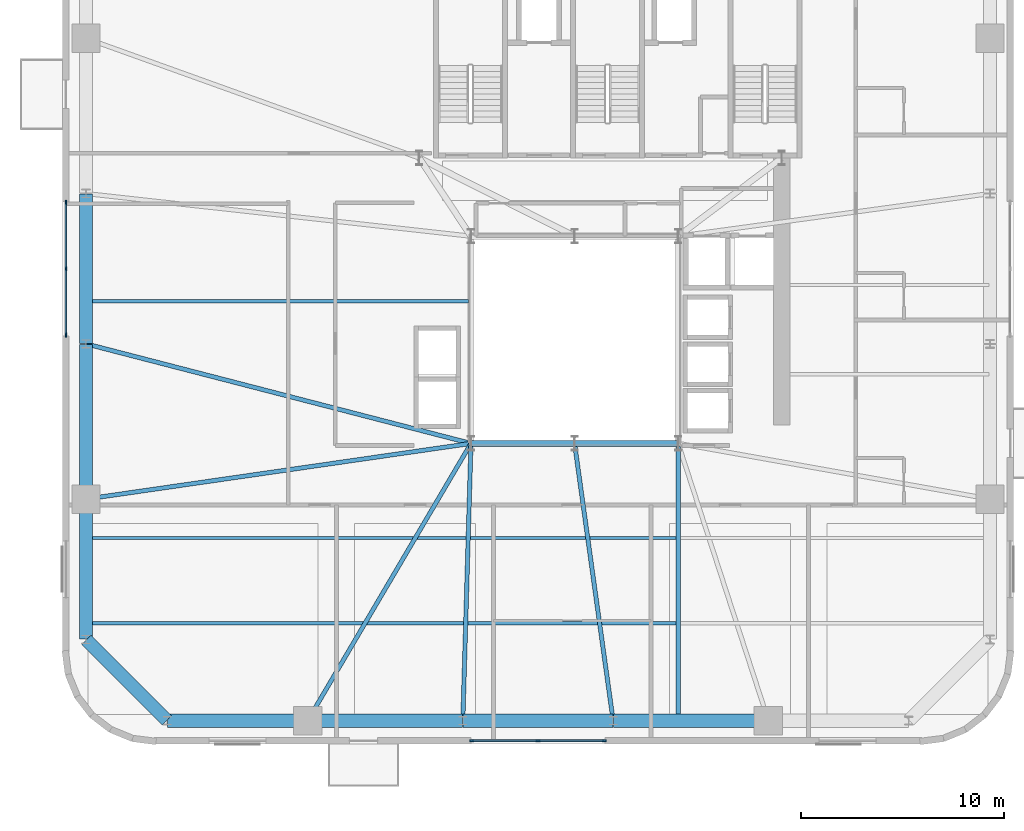
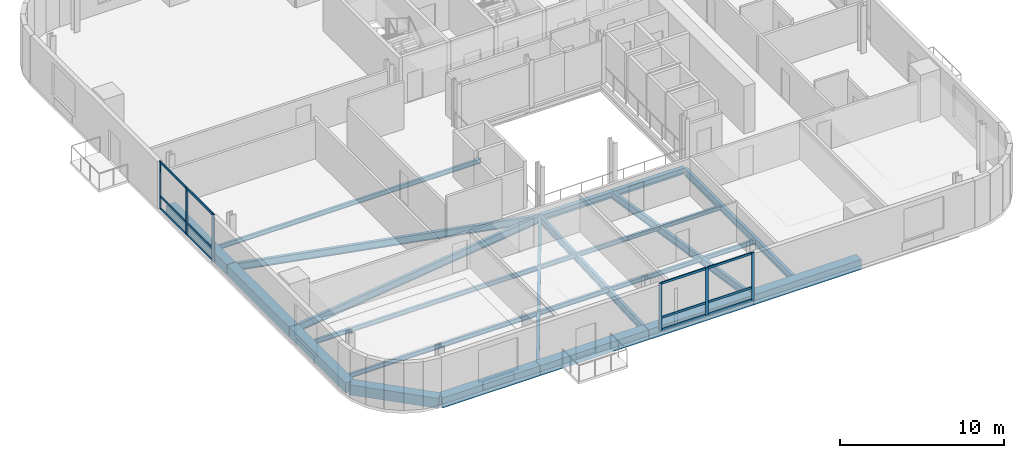
# One storey, part 3 of 16: 19 beams, 18 members, 2 elements without a shape of their own.
"""IFC4 building model written with IfcOpenShell, lengths in metres."""

import ifcopenshell
import ifcopenshell.guid

model = None  # the IFC model being written
_history = None  # IfcOwnerHistory: only IFC2X3 demands one
_inside = {}  # id of a spatial element -> (the spatial element, [elements in it])
_under = {}  # id of a project, library or spatial element -> (it, [spatial elements below it])
_declared = {}  # id of a project -> (the project, [libraries it declares])
_typed = {}  # id of a type object -> (the type object, [elements of that type])
_made_of = {}  # id of a material, layer set ... -> (it, [elements and type objects made of it])


def new_model(schema):
    """Start an empty IFC model of exactly this schema.

    Asked for "IFC4X3", IfcOpenShell would pick the latest addendum, in which some entities
    have other attributes; the version numbers below select the first issue.
    IFC2X3 requires an IfcOwnerHistory on every rooted entity: one is made here for all.
    """
    global model, _history
    if schema == "IFC4X3":
        model = ifcopenshell.file(schema_version=(4, 3, 0, 0))
    else:
        model = ifcopenshell.file(schema=schema)
    _inside.clear()
    _under.clear()
    _declared.clear()
    _typed.clear()
    _made_of.clear()
    _history = None
    if model.schema == "IFC2X3":
        org = make("IfcOrganization", Name="unknown")
        user = make(
            "IfcPersonAndOrganization",
            ThePerson=make("IfcPerson", FamilyName="unknown"),
            TheOrganization=org,
        )
        app = make(
            "IfcApplication",
            ApplicationDeveloper=org,
            Version="unknown",
            ApplicationFullName="unknown",
            ApplicationIdentifier="unknown",
        )
        _history = make(
            "IfcOwnerHistory",
            OwningUser=user,
            OwningApplication=app,
            ChangeAction="ADDED",
            CreationDate=0,
        )
    return model


def make(cls, **values):
    """One entity of the class cls with the attributes given. An attribute that is None is left unset."""
    return model.create_entity(
        cls, **{name: value for name, value in values.items() if value is not None}
    )


def rooted(cls, **values):
    """An entity with a GlobalId (a new one), such as an element, a storey or a relation."""
    return make(cls, GlobalId=ifcopenshell.guid.new(), OwnerHistory=_history, **values)


def si_unit(unit_type, name, prefix=None):
    """IfcSIUnit, for example si_unit("LENGTHUNIT", "METRE", prefix="MILLI")."""
    return make("IfcSIUnit", UnitType=unit_type, Prefix=prefix, Name=name)


def assignment(units):
    """IfcUnitAssignment: the units of a project."""
    return None if units is None else make("IfcUnitAssignment", Units=units)


def point(xyz):
    """IfcCartesianPoint."""
    return None if xyz is None else make("IfcCartesianPoint", Coordinates=xyz)


def direction(xyz):
    """IfcDirection."""
    return None if xyz is None else make("IfcDirection", DirectionRatios=xyz)


def frame(location, z_axis=None, x_axis=None):
    """IfcAxis2Placement3D, a coordinate frame: its origin and axes. An axis left out is left unset."""
    return make(
        "IfcAxis2Placement3D",
        Location=point(location),
        Axis=direction(z_axis),
        RefDirection=direction(x_axis),
    )


def frame_2d(location, x_axis=None):
    """IfcAxis2Placement2D, a coordinate frame in the plane: its origin and x axis."""
    return make(
        "IfcAxis2Placement2D", Location=point(location), RefDirection=direction(x_axis)
    )


def origin():
    """The frame at (0, 0, 0) with its axes left unset."""
    return frame((0.0, 0.0, 0.0))


def origin_2d():
    """The frame at (0, 0) in the plane with its x axis left unset."""
    return frame_2d((0.0, 0.0))


def place(relative_to, where):
    """IfcLocalPlacement: puts the frame where relative to a parent placement (None: the world)."""
    return make(
        "IfcLocalPlacement", PlacementRelTo=relative_to, RelativePlacement=where
    )


def context(
    kind, dimensions, precision=None, world=None, true_north=None, identifier=None
):
    """IfcGeometricRepresentationContext, for example the 3D "Model" context."""
    return make(
        "IfcGeometricRepresentationContext",
        ContextIdentifier=identifier,
        ContextType=kind,
        CoordinateSpaceDimension=dimensions,
        Precision=precision,
        WorldCoordinateSystem=world,
        TrueNorth=true_north,
    )


def subcontext(parent, identifier, kind, view, scale=None):
    """IfcGeometricRepresentationSubContext, for example "Body" below "Model"."""
    return make(
        "IfcGeometricRepresentationSubContext",
        ContextIdentifier=identifier,
        ContextType=kind,
        ParentContext=parent,
        TargetScale=scale,
        TargetView=view,
    )


def project(units=None, contexts=None):
    """IfcProject with its units and contexts."""
    return rooted(
        "IfcProject",
        Name="project",
        RepresentationContexts=contexts,
        UnitsInContext=assignment(units),
    )


def spatial(cls, under=None, at=None, **own):
    """A site, building, storey or space (cls), placed at a placement, below another one or the project."""
    s = rooted(cls, ObjectPlacement=at, **own)
    if under is not None:
        _under.setdefault(under.id(), (under, []))[1].append(s)
    return s


def profile(cls, at=None, kind="AREA", **sizes):
    """A parametric profile (cls). Its sizes go by their IFC names, for example OverallWidth=200.0."""
    return make(cls, ProfileType=kind, Position=at, **sizes)


def rectangle(**sizes):
    """IfcRectangleProfileDef."""
    return profile("IfcRectangleProfileDef", **sizes)


def i_section(**sizes):
    """IfcIShapeProfileDef."""
    return profile("IfcIShapeProfileDef", **sizes)


def extrude(swept, where, along, depth):
    """IfcExtrudedAreaSolid: the profile swept, set in the frame where, extruded along a direction by depth."""
    return make(
        "IfcExtrudedAreaSolid",
        SweptArea=swept,
        Position=where,
        ExtrudedDirection=direction(along),
        Depth=depth,
    )


def shape(context_of_items, identifier, shape_type, items):
    """IfcShapeRepresentation: the items that make up one representation, for example the "Body"."""
    return make(
        "IfcShapeRepresentation",
        ContextOfItems=context_of_items,
        RepresentationIdentifier=identifier,
        RepresentationType=shape_type,
        Items=items,
    )


def source(mapping_origin, context_of_items, identifier, shape_type, items):
    """IfcRepresentationMap: a shape defined once, which mapped items show again and again."""
    return make(
        "IfcRepresentationMap",
        MappingOrigin=mapping_origin,
        MappedRepresentation=shape(context_of_items, identifier, shape_type, items),
    )


def transform(
    local_origin,
    x_axis=None,
    y_axis=None,
    z_axis=None,
    scale=None,
    scale2=None,
    scale3=None,
    uniform=True,
):
    """IfcCartesianTransformationOperator3D, or its non-uniform kind. x_axis, y_axis, z_axis: its Axis1, 2, 3."""
    if uniform:
        return make(
            "IfcCartesianTransformationOperator3D",
            Axis1=direction(x_axis),
            Axis2=direction(y_axis),
            LocalOrigin=point(local_origin),
            Scale=scale,
            Axis3=direction(z_axis),
        )
    return make(
        "IfcCartesianTransformationOperator3DnonUniform",
        Axis1=direction(x_axis),
        Axis2=direction(y_axis),
        LocalOrigin=point(local_origin),
        Scale=scale,
        Axis3=direction(z_axis),
        Scale2=scale2,
        Scale3=scale3,
    )


def mapped(mapping_source, mapping_target):
    """IfcMappedItem: shows the shape of a source again, moved by a transform."""
    return make(
        "IfcMappedItem", MappingSource=mapping_source, MappingTarget=mapping_target
    )


def material(Name=None, Category=None):
    """IfcMaterial."""
    return make("IfcMaterial", Name=Name, Category=Category)


def material_profile(
    of_material, cross_section, Name=None, Category=None, Priority=None
):
    """IfcMaterialProfile: a cross section and its material."""
    return make(
        "IfcMaterialProfile",
        Name=Name,
        Material=of_material,
        Profile=cross_section,
        Priority=Priority,
        Category=Category,
    )


def profile_set(profiles, Name=None, composite=None):
    """IfcMaterialProfileSet."""
    return make(
        "IfcMaterialProfileSet",
        Name=Name,
        MaterialProfiles=profiles,
        CompositeProfile=composite,
    )


def made_of(thing, what):
    """Note that an element or type object is made of a material, layer set ...; save() writes the relation."""
    if what is not None:
        _made_of.setdefault(what.id(), (what, []))[1].append(thing)
    return thing


def type_object(cls, material=None, **own):
    """A type object (cls), such as IfcWallType, which elements share."""
    return made_of(rooted(cls, **own), material)


def element(
    cls,
    number,
    at=None,
    inside=None,
    cuts=None,
    type_object=None,
    material=None,
    context=None,
    identifier="Body",
    shape_type=None,
    held_by="IfcProductDefinitionShape",
    body=None,
    shapes=None,
    **own,
):
    """One element of the class cls, such as IfcWall. Its Tag is "e" and its number.

    at: its placement. inside: the storey or other place that contains it. cuts: it is an
    opening in that element (IfcRelVoidsElement). A single representation is given by context,
    identifier, shape_type and body (its items); several are given by shapes. held_by: the class
    of the entity that holds the representations. save() writes the other relations.
    """
    e = rooted(cls, Tag="e%d" % number, ObjectPlacement=at, **own)
    if body is not None:
        shapes = [shape(context, identifier, shape_type, body)]
    if shapes is not None:
        e.Representation = make(held_by, Representations=shapes)
    if inside is not None:
        _inside.setdefault(inside.id(), (inside, []))[1].append(e)
    if cuts is not None:
        rooted(
            "IfcRelVoidsElement", RelatingBuildingElement=cuts, RelatedOpeningElement=e
        )
    if type_object is not None:
        _typed.setdefault(type_object.id(), (type_object, []))[1].append(e)
    return made_of(e, material)


def aggregate(whole, parts):
    """IfcRelAggregates: a whole, such as a stair, and the parts it consists of."""
    return rooted("IfcRelAggregates", RelatingObject=whole, RelatedObjects=parts)


def save(model, path):
    """Write the relations noted so far, then the file.

    IfcRelAggregates (storeys below a building ...), IfcRelContainedInSpatialStructure (elements
    in a storey), IfcRelDefinesByType, IfcRelAssociatesMaterial and IfcRelDeclares: one each for
    every whole, place, type object, material and project.
    """
    for whole, parts in _under.values():
        aggregate(whole, parts)
    for where, things in _inside.values():
        rooted(
            "IfcRelContainedInSpatialStructure",
            RelatedElements=things,
            RelatingStructure=where,
        )
    for kind, things in _typed.values():
        rooted("IfcRelDefinesByType", RelatedObjects=things, RelatingType=kind)
    for what, things in _made_of.values():
        rooted("IfcRelAssociatesMaterial", RelatedObjects=things, RelatingMaterial=what)
    for by, libraries in _declared.values():
        rooted("IfcRelDeclares", RelatingContext=by, RelatedDefinitions=libraries)
    model.write(path)


model = new_model("IFC4")

# Units and contexts
model_context = context("Model", 3, precision=1e-05, world=origin(), true_north=direction((0.0, 1.0)))
body_context = subcontext(model_context, "Body", "Model", "MODEL_VIEW")
ifc_project = project(units=[si_unit("LENGTHUNIT", "METRE"), si_unit("AREAUNIT", "SQUARE_METRE"), si_unit("VOLUMEUNIT", "CUBIC_METRE"), si_unit("PLANEANGLEUNIT", "RADIAN"), si_unit("MASSUNIT", "GRAM", prefix="KILO")], contexts=[model_context])

# Site, building, storey
site_placement = place(None, origin())
site = spatial("IfcSite", under=ifc_project, at=site_placement, CompositionType="ELEMENT")
building_placement = place(site_placement, origin())
building = spatial("IfcBuilding", under=site, at=building_placement, Name="Vardaveli Station Tower", CompositionType="ELEMENT")
storey_placement = place(building_placement, frame((0.0, 0.0, 188.550048828125)))
storey = spatial("IfcBuildingStorey", under=building, at=storey_placement, Name="L48", CompositionType="ELEMENT", Elevation=188.550048828125)

# Beams
ifc_material_1 = material(Name="Structural steel S355J2", Category="steel")
ifc_material_profile_1 = material_profile(ifc_material_1, i_section(OverallWidth=0.300048828125, OverallDepth=0.449951171875, WebThickness=0.013916015625, FlangeThickness=0.02587890625, FilletRadius=0.027099609375, at=origin_2d()), Name="HEB 450")
ifc_profile_set_1 = profile_set([ifc_material_profile_1], Name="Structural steel S355J2")
beam_type_1 = type_object("IfcBeamType", Name="BM-HEB450", PredefinedType="BEAM", material=ifc_profile_set_1)
shared_shape_1 = source(origin(), body_context, "Body", "SweptSolid", [
    extrude(i_section(OverallWidth=0.300048828125, OverallDepth=0.449951171875, WebThickness=0.013916015625, FlangeThickness=0.02587890625, FilletRadius=0.027099609375, at=origin_2d()), origin(), (0.0, 0.0, 1.0), 5.06005859375),
])
beam_1_placement = place(storey_placement, frame((31.219970703125, 16.60009765625, -0.445068359375), z_axis=(1.0, 0.0, 0.0), x_axis=(0.0, 1.0, 0.0)))
element("IfcBeam", 1, at=beam_1_placement, inside=storey, type_object=beam_type_1, Name="ABM-L48-01", PredefinedType="BEAM", context=body_context, shape_type="MappedRepresentation", body=[
    mapped(shared_shape_1, transform((0.0, 0.0, 0.0), scale=1.0)),
])
shared_shape_2 = source(origin(), body_context, "Body", "SweptSolid", [
    extrude(i_section(OverallWidth=0.300048828125, OverallDepth=0.449951171875, WebThickness=0.013916015625, FlangeThickness=0.02587890625, FilletRadius=0.027099609375, at=origin_2d()), origin(), (0.0, 0.0, 1.0), 5.059814453125),
])
beam_2_placement = place(storey_placement, frame((36.320068359375, 16.60009765625, -0.445068359375), z_axis=(1.0, 0.0, 0.0), x_axis=(0.0, 1.0, 0.0)))
element("IfcBeam", 2, at=beam_2_placement, inside=storey, type_object=beam_type_1, Name="ABM-L48-02", PredefinedType="BEAM", context=body_context, shape_type="MappedRepresentation", body=[
    mapped(shared_shape_2, transform((0.0, 0.0, 0.0), scale=1.0)),
])
ifc_material_2 = material(Name="Precast concrete C45/55", Category="concrete")
ifc_material_profile_2 = material_profile(ifc_material_2, rectangle(XDim=0.64990234375, YDim=0.75, at=origin_2d()), Name="LPB 650x750")
ifc_profile_set_2 = profile_set([ifc_material_profile_2], Name="Precast concrete C45/55")
beam_type_2 = type_object("IfcBeamType", Name="BM-LPB-750", PredefinedType="BEAM", material=ifc_profile_set_2)
shared_shape_3 = source(origin(), body_context, "Body", "SweptSolid", [
    extrude(rectangle(XDim=0.64990234375, YDim=0.75, at=origin_2d()), origin(), (0.0, 0.0, 1.0), 7.60009765625),
])
for number, where, z_axis, x_axis, name in (
    (3, (23.179931640625, 2.949951171875, -0.594970703125), (1.0, 0.0, 0.0), (0.0, 1.0, 0.0), "RBM-L48-01"),
    (4, (38.219970703125, 2.949951171875, -0.594970703125), (1.0, 0.0, 0.0), (0.0, 1.0, 0.0), "RBM-L48-03"),
    (5, (12.25, 21.47998046875, -0.594970703125), (0.0, -1.0, 0.0), (1.0, 0.0, 0.0), "RBM-L48-21"),
):
    element("IfcBeam", number, at=place(storey_placement, frame(where, z_axis=z_axis, x_axis=x_axis)), inside=storey, type_object=beam_type_2, Name=name, PredefinedType="BEAM", context=body_context, shape_type="MappedRepresentation", body=[
        mapped(shared_shape_3, transform((0.0, 0.0, 0.0), scale=1.0)),
    ])
shared_shape_4 = source(origin(), body_context, "Body", "SweptSolid", [
    extrude(rectangle(XDim=0.64990234375, YDim=0.75, at=origin_2d()), origin(), (0.0, 0.0, 1.0), 7.35986328125),
])
for number, where, z_axis, x_axis, name in (
    (6, (30.820068359375, 2.949951171875, -0.594970703125), (1.0, 0.0, 0.0), (0.0, 1.0, 0.0), "RBM-L48-02"),
    (7, (12.25, 28.8798828125, -0.594970703125), (0.0, -1.0, 0.0), (1.0, 0.0, 0.0), "RBM-L48-20"),
):
    element("IfcBeam", number, at=place(storey_placement, frame(where, z_axis=z_axis, x_axis=x_axis)), inside=storey, type_object=beam_type_2, Name=name, PredefinedType="BEAM", context=body_context, shape_type="MappedRepresentation", body=[
        mapped(shared_shape_4, transform((0.0, 0.0, 0.0), scale=1.0)),
    ])
shared_shape_5 = source(origin(), body_context, "Body", "SweptSolid", [
    extrude(rectangle(XDim=0.64990234375, YDim=0.75, at=origin_2d()), origin(), (0.0, 0.0, 1.0), 6.869873046875),
])
beam_3_placement = place(storey_placement, frame((16.27001953125, 2.949951171875, -0.594970703125), z_axis=(1.0, 0.0, 0.0), x_axis=(0.0, 1.0, 0.0)))
element("IfcBeam", 8, at=beam_3_placement, inside=storey, type_object=beam_type_2, Name="RBM-L48-24", PredefinedType="BEAM", context=body_context, shape_type="MappedRepresentation", body=[
    mapped(shared_shape_5, transform((0.0, 0.0, 0.0), scale=1.0)),
])
shared_shape_6 = source(origin(), body_context, "Body", "SweptSolid", [
    extrude(rectangle(XDim=0.64990234375, YDim=0.75, at=origin_2d()), origin(), (0.0, 0.0, 1.0), 5.61669921875),
])
beam_4_placement = place(storey_placement, frame((12.26416015625, 6.935791015625, -0.594970703125), z_axis=(0.707106781187, -0.707106781187, 0.0), x_axis=(0.707106781187, 0.707106781187, 0.0)))
element("IfcBeam", 9, at=beam_4_placement, inside=storey, type_object=beam_type_2, Name="RBM-L48-23", PredefinedType="BEAM", context=body_context, shape_type="MappedRepresentation", body=[
    mapped(shared_shape_6, transform((0.0, 0.0, 0.0), scale=1.0)),
])
shared_shape_7 = source(origin(), body_context, "Body", "SweptSolid", [
    extrude(rectangle(XDim=0.64990234375, YDim=0.75, at=origin_2d()), origin(), (0.0, 0.0, 1.0), 6.8701171875),
])
beam_5_placement = place(storey_placement, frame((12.25, 13.840087890625, -0.594970703125), z_axis=(0.0, -1.0, 0.0), x_axis=(1.0, 0.0, 0.0)))
element("IfcBeam", 10, at=beam_5_placement, inside=storey, type_object=beam_type_2, Name="RBM-L48-22", PredefinedType="BEAM", context=body_context, shape_type="MappedRepresentation", body=[
    mapped(shared_shape_7, transform((0.0, 0.0, 0.0), scale=1.0)),
])
ifc_material_profile_3 = material_profile(ifc_material_1, i_section(OverallWidth=0.2099609375, OverallDepth=0.550048828125, WebThickness=0.010986328125, FlangeThickness=0.01708984375, FilletRadius=0.02392578125, at=origin_2d()), Name="IPE 550")
ifc_profile_set_3 = profile_set([ifc_material_profile_3], Name="Structural steel S355J2")
beam_type_3 = type_object("IfcBeamType", Name="BM-IPE550", PredefinedType="BEAM", material=ifc_profile_set_3)
shared_shape_8 = source(origin(), body_context, "Body", "SweptSolid", [
    extrude(i_section(OverallWidth=0.2099609375, OverallDepth=0.550048828125, WebThickness=0.010986328125, FlangeThickness=0.01708984375, FilletRadius=0.02392578125, at=origin_2d()), origin(), (0.0, 0.0, 1.0), 13.469970703125),
])
beam_6_placement = place(storey_placement, frame((41.39990234375, 2.989990234375, -0.4951171875), z_axis=(0.0, 1.0, 0.0), x_axis=(-1.0, 0.0, 0.0)))
element("IfcBeam", 11, at=beam_6_placement, inside=storey, type_object=beam_type_3, Name="NSM-L48-S2", PredefinedType="BEAM", context=body_context, shape_type="MappedRepresentation", body=[
    mapped(shared_shape_8, transform((0.0, 0.0, 0.0), scale=1.0)),
])
ifc_material_profile_4 = material_profile(ifc_material_1, i_section(OverallWidth=0.159912109375, OverallDepth=0.330078125, WebThickness=0.007568359375, FlangeThickness=0.011474609375, FilletRadius=0.01806640625, at=origin_2d()), Name="IPE 330")
ifc_profile_set_4 = profile_set([ifc_material_profile_4], Name="Structural steel S355J2")
beam_type_4 = type_object("IfcBeamType", Name="BM-IPE330", PredefinedType="JOIST", material=ifc_profile_set_4)
shared_shape_9 = source(origin(), body_context, "Body", "SweptSolid", [
    extrude(i_section(OverallWidth=0.159912109375, OverallDepth=0.330078125, WebThickness=0.007568359375, FlangeThickness=0.011474609375, FilletRadius=0.01806640625, at=origin_2d()), origin(), (0.0, 0.0, 1.0), 28.998046875),
])
for number, where, z_axis, x_axis, name in (
    (12, (12.2900390625, 7.75, -0.385009765625), (1.0, 0.0, 0.0), (0.0, 1.0, 0.0), "SJ-L48-S01"),
    (13, (12.2900390625, 11.949951171875, -0.385009765625), (1.0, 0.0, 0.0), (0.0, 1.0, 0.0), "SJ-L48-S03"),
):
    element("IfcBeam", number, at=place(storey_placement, frame(where, z_axis=z_axis, x_axis=x_axis)), inside=storey, type_object=beam_type_4, Name=name, PredefinedType="JOIST", context=body_context, shape_type="MappedRepresentation", body=[
        mapped(shared_shape_9, transform((0.0, 0.0, 0.0), scale=1.0)),
    ])
shared_shape_10 = source(origin(), body_context, "Body", "SweptSolid", [
    extrude(i_section(OverallWidth=0.159912109375, OverallDepth=0.330078125, WebThickness=0.007568359375, FlangeThickness=0.011474609375, FilletRadius=0.01806640625, at=origin_2d()), origin(), (0.0, 0.0, 1.0), 18.7978515625),
])
beam_7_placement = place(storey_placement, frame((12.2900390625, 23.60009765625, -0.385009765625), z_axis=(1.0, 0.0, 0.0), x_axis=(0.0, 1.0, 0.0)))
element("IfcBeam", 14, at=beam_7_placement, inside=storey, type_object=beam_type_4, Name="SJ-L48-W06", PredefinedType="JOIST", context=body_context, shape_type="MappedRepresentation", body=[
    mapped(shared_shape_10, transform((0.0, 0.0, 0.0), scale=1.0)),
])
shared_shape_11 = source(origin(), body_context, "Body", "SweptSolid", [
    extrude(i_section(OverallWidth=0.2099609375, OverallDepth=0.550048828125, WebThickness=0.010986328125, FlangeThickness=0.01708984375, FilletRadius=0.02392578125, at=origin_2d()), origin(), (0.0, 0.0, 1.0), 15.8017578125),
])
beam_8_placement = place(storey_placement, frame((23.170166015625, 2.96728515625, -0.4951171875), z_axis=(0.507521713546, 0.86163896748, 0.0), x_axis=(-0.86163896748, 0.507521713546, 0.0)))
element("IfcBeam", 15, at=beam_8_placement, inside=storey, type_object=beam_type_3, Name="GBM-L48-01", PredefinedType="BEAM", context=body_context, shape_type="MappedRepresentation", body=[
    mapped(shared_shape_11, transform((0.0, 0.0, 0.0), scale=1.0)),
])
shared_shape_12 = source(origin(), body_context, "Body", "SweptSolid", [
    extrude(i_section(OverallWidth=0.2099609375, OverallDepth=0.550048828125, WebThickness=0.010986328125, FlangeThickness=0.01708984375, FilletRadius=0.02392578125, at=origin_2d()), origin(), (0.0, 0.0, 1.0), 13.615966796875),
])
beam_9_placement = place(storey_placement, frame((30.800537109375, 2.969970703125, -0.4951171875), z_axis=(0.029298411379, 0.9995707094, 0.0), x_axis=(-0.9995707094, 0.029298411379, 0.0)))
element("IfcBeam", 16, at=beam_9_placement, inside=storey, type_object=beam_type_3, Name="GBM-L48-02", PredefinedType="BEAM", context=body_context, shape_type="MappedRepresentation", body=[
    mapped(shared_shape_12, transform((0.0, 0.0, 0.0), scale=1.0)),
])
shared_shape_13 = source(origin(), body_context, "Body", "SweptSolid", [
    extrude(i_section(OverallWidth=0.2099609375, OverallDepth=0.550048828125, WebThickness=0.010986328125, FlangeThickness=0.01708984375, FilletRadius=0.02392578125, at=origin_2d()), origin(), (0.0, 0.0, 1.0), 13.741455078125),
])
beam_10_placement = place(storey_placement, frame((38.197265625, 2.9697265625, -0.4951171875), z_axis=(-0.137868554024, 0.990450534762, 0.0), x_axis=(-0.990450534762, -0.137868554024, 0.0)))
element("IfcBeam", 17, at=beam_10_placement, inside=storey, type_object=beam_type_3, Name="GBM-L48-03", PredefinedType="BEAM", context=body_context, shape_type="MappedRepresentation", body=[
    mapped(shared_shape_13, transform((0.0, 0.0, 0.0), scale=1.0)),
])
shared_shape_14 = source(origin(), body_context, "Body", "SweptSolid", [
    extrude(i_section(OverallWidth=0.2099609375, OverallDepth=0.550048828125, WebThickness=0.010986328125, FlangeThickness=0.01708984375, FilletRadius=0.02392578125, at=origin_2d()), origin(), (0.0, 0.0, 1.0), 19.533447265625),
])
beam_11_placement = place(storey_placement, frame((12.269287109375, 21.494873046875, -0.4951171875), z_axis=(0.968159081778, -0.250335759272, 0.0), x_axis=(0.250335759272, 0.968159081778, 0.0)))
element("IfcBeam", 18, at=beam_11_placement, inside=storey, type_object=beam_type_3, Name="GBM-L48-09", PredefinedType="BEAM", context=body_context, shape_type="MappedRepresentation", body=[
    mapped(shared_shape_14, transform((0.0, 0.0, 0.0), scale=1.0)),
])
shared_shape_15 = source(origin(), body_context, "Body", "SweptSolid", [
    extrude(i_section(OverallWidth=0.2099609375, OverallDepth=0.550048828125, WebThickness=0.010986328125, FlangeThickness=0.01708984375, FilletRadius=0.02392578125, at=origin_2d()), origin(), (0.0, 0.0, 1.0), 19.107177734375),
])
beam_12_placement = place(storey_placement, frame((12.269775390625, 13.86279296875, -0.4951171875), z_axis=(0.989707072711, 0.143108036903, 0.0), x_axis=(-0.143108036903, 0.989707072711, 0.0)))
element("IfcBeam", 19, at=beam_12_placement, inside=storey, type_object=beam_type_3, Name="GBM-L48-10", PredefinedType="BEAM", context=body_context, shape_type="MappedRepresentation", body=[
    mapped(shared_shape_15, transform((0.0, 0.0, 0.0), scale=1.0)),
])

# Curtain wall, members
ifc_material_3 = material(Name="Travertine stone and solar-control glass", Category="masonry")
curtain_wall_type = type_object("IfcCurtainWallType", Name="CW-SYS-5", PredefinedType="NOTDEFINED", material=ifc_material_3)
curtain_wall_1_placement = place(storey_placement, origin())
curtain_wall_1 = element("IfcCurtainWall", 20, at=curtain_wall_1_placement, inside=storey, type_object=curtain_wall_type, Name="CW-L48-S", PredefinedType="NOTDEFINED")
ifc_material_4 = material(Name="Anodised aluminium alloy 6063-T6", Category="aluminium")
ifc_material_profile_5 = material_profile(ifc_material_4, rectangle(XDim=0.080078125, YDim=0.1650390625, at=origin_2d()), Name="CWT 80x165")
ifc_profile_set_5 = profile_set([ifc_material_profile_5], Name="Anodised aluminium alloy 6063-T6")
member_type_1 = type_object("IfcMemberType", Name="CW-SYS-5-TRAN", PredefinedType="NOTDEFINED", material=ifc_profile_set_5)
shared_shape_16 = source(origin(), body_context, "Body", "SweptSolid", [
    extrude(rectangle(XDim=0.080078125, YDim=0.1650390625, at=origin_2d()), origin(), (0.0, 0.0, 1.0), 3.179931640625),
])
member_1_placement = place(storey_placement, frame((31.280029296875, 1.9599609375, 0.0400390625), z_axis=(1.0, 0.0, 0.0), x_axis=(0.0, 1.0, 0.0)))
member_1 = element("IfcMember", 21, at=member_1_placement, type_object=member_type_1, Name="CW-5 transom 1.1", ObjectType="TRANSOM", PredefinedType="USERDEFINED", context=body_context, shape_type="MappedRepresentation", body=[
    mapped(shared_shape_16, transform((0.0, 0.0, 0.0), scale=1.0)),
])
member_2_placement = place(storey_placement, frame((31.280029296875, 1.9599609375, 0.949951171875), z_axis=(1.0, 0.0, 0.0), x_axis=(0.0, 1.0, 0.0)))
member_2 = element("IfcMember", 22, at=member_2_placement, type_object=member_type_1, Name="CW-5 transom 1.2", ObjectType="TRANSOM", PredefinedType="USERDEFINED", context=body_context, shape_type="MappedRepresentation", body=[
    mapped(shared_shape_16, transform((0.0, 0.0, 0.0), scale=1.0)),
])
member_3_placement = place(storey_placement, frame((31.280029296875, 1.9599609375, 3.489990234375), z_axis=(1.0, 0.0, 0.0), x_axis=(0.0, 1.0, 0.0)))
member_3 = element("IfcMember", 23, at=member_3_placement, type_object=member_type_1, Name="CW-5 transom 1.3", ObjectType="TRANSOM", PredefinedType="USERDEFINED", context=body_context, shape_type="MappedRepresentation", body=[
    mapped(shared_shape_16, transform((0.0, 0.0, 0.0), scale=1.0)),
])
member_4_placement = place(storey_placement, frame((34.5400390625, 1.9599609375, 0.0400390625), z_axis=(1.0, 0.0, 0.0), x_axis=(0.0, 1.0, 0.0)))
member_4 = element("IfcMember", 24, at=member_4_placement, type_object=member_type_1, Name="CW-5 transom 2.1", ObjectType="TRANSOM", PredefinedType="USERDEFINED", context=body_context, shape_type="MappedRepresentation", body=[
    mapped(shared_shape_16, transform((0.0, 0.0, 0.0), scale=1.0)),
])
member_5_placement = place(storey_placement, frame((34.5400390625, 1.9599609375, 0.949951171875), z_axis=(1.0, 0.0, 0.0), x_axis=(0.0, 1.0, 0.0)))
member_5 = element("IfcMember", 25, at=member_5_placement, type_object=member_type_1, Name="CW-5 transom 2.2", ObjectType="TRANSOM", PredefinedType="USERDEFINED", context=body_context, shape_type="MappedRepresentation", body=[
    mapped(shared_shape_16, transform((0.0, 0.0, 0.0), scale=1.0)),
])
member_6_placement = place(storey_placement, frame((34.5400390625, 1.9599609375, 3.489990234375), z_axis=(1.0, 0.0, 0.0), x_axis=(0.0, 1.0, 0.0)))
member_6 = element("IfcMember", 26, at=member_6_placement, type_object=member_type_1, Name="CW-5 transom 2.3", ObjectType="TRANSOM", PredefinedType="USERDEFINED", context=body_context, shape_type="MappedRepresentation", body=[
    mapped(shared_shape_16, transform((0.0, 0.0, 0.0), scale=1.0)),
])

curtain_wall_2_placement = place(storey_placement, origin())
curtain_wall_2 = element("IfcCurtainWall", 27, at=curtain_wall_2_placement, inside=storey, type_object=curtain_wall_type, Name="CW-L48-W", PredefinedType="NOTDEFINED")
member_7_placement = place(storey_placement, frame((11.260009765625, 28.419921875, 0.0400390625), z_axis=(0.0, -1.0, 0.0), x_axis=(1.0, 0.0, 0.0)))
member_7 = element("IfcMember", 28, at=member_7_placement, type_object=member_type_1, Name="CW-5 transom 1.1", ObjectType="TRANSOM", PredefinedType="USERDEFINED", context=body_context, shape_type="MappedRepresentation", body=[
    mapped(shared_shape_16, transform((0.0, 0.0, 0.0), scale=1.0)),
])
member_8_placement = place(storey_placement, frame((11.260009765625, 28.419921875, 0.949951171875), z_axis=(0.0, -1.0, 0.0), x_axis=(1.0, 0.0, 0.0)))
member_8 = element("IfcMember", 29, at=member_8_placement, type_object=member_type_1, Name="CW-5 transom 1.2", ObjectType="TRANSOM", PredefinedType="USERDEFINED", context=body_context, shape_type="MappedRepresentation", body=[
    mapped(shared_shape_16, transform((0.0, 0.0, 0.0), scale=1.0)),
])
member_9_placement = place(storey_placement, frame((11.260009765625, 28.419921875, 3.489990234375), z_axis=(0.0, -1.0, 0.0), x_axis=(1.0, 0.0, 0.0)))
member_9 = element("IfcMember", 30, at=member_9_placement, type_object=member_type_1, Name="CW-5 transom 1.3", ObjectType="TRANSOM", PredefinedType="USERDEFINED", context=body_context, shape_type="MappedRepresentation", body=[
    mapped(shared_shape_16, transform((0.0, 0.0, 0.0), scale=1.0)),
])
member_10_placement = place(storey_placement, frame((11.260009765625, 25.159912109375, 0.0400390625), z_axis=(0.0, -1.0, 0.0), x_axis=(1.0, 0.0, 0.0)))
member_10 = element("IfcMember", 31, at=member_10_placement, type_object=member_type_1, Name="CW-5 transom 2.1", ObjectType="TRANSOM", PredefinedType="USERDEFINED", context=body_context, shape_type="MappedRepresentation", body=[
    mapped(shared_shape_16, transform((0.0, 0.0, 0.0), scale=1.0)),
])
member_11_placement = place(storey_placement, frame((11.260009765625, 25.159912109375, 0.949951171875), z_axis=(0.0, -1.0, 0.0), x_axis=(1.0, 0.0, 0.0)))
member_11 = element("IfcMember", 32, at=member_11_placement, type_object=member_type_1, Name="CW-5 transom 2.2", ObjectType="TRANSOM", PredefinedType="USERDEFINED", context=body_context, shape_type="MappedRepresentation", body=[
    mapped(shared_shape_16, transform((0.0, 0.0, 0.0), scale=1.0)),
])
member_12_placement = place(storey_placement, frame((11.260009765625, 25.159912109375, 3.489990234375), z_axis=(0.0, -1.0, 0.0), x_axis=(1.0, 0.0, 0.0)))
member_12 = element("IfcMember", 33, at=member_12_placement, type_object=member_type_1, Name="CW-5 transom 2.3", ObjectType="TRANSOM", PredefinedType="USERDEFINED", context=body_context, shape_type="MappedRepresentation", body=[
    mapped(shared_shape_16, transform((0.0, 0.0, 0.0), scale=1.0)),
])

# Member
ifc_material_profile_6 = material_profile(ifc_material_4, rectangle(XDim=0.080078125, YDim=0.205078125, at=origin_2d()), Name="CWM 80x205")
ifc_profile_set_6 = profile_set([ifc_material_profile_6], Name="Anodised aluminium alloy 6063-T6")
member_type_2 = type_object("IfcMemberType", Name="CW-SYS-5-MULL", PredefinedType="MULLION", material=ifc_profile_set_6)
shared_shape_17 = source(origin(), body_context, "Body", "SweptSolid", [
    extrude(rectangle(XDim=0.080078125, YDim=0.205078125, at=origin_2d()), origin(), (0.0, 0.0, 1.0), 3.530029296875),
])
member_13_placement = place(storey_placement, frame((31.239990234375, 1.9599609375, 0.0), z_axis=(0.0, 0.0, 1.0), x_axis=(0.0, 1.0, 0.0)))
member_13 = element("IfcMember", 34, at=member_13_placement, type_object=member_type_2, Name="CW-5 mullion 1", PredefinedType="MULLION", context=body_context, shape_type="MappedRepresentation", body=[
    mapped(shared_shape_17, transform((0.0, 0.0, 0.0), scale=1.0)),
])

member_14_placement = place(storey_placement, frame((34.5, 1.9599609375, 0.0), z_axis=(0.0, 0.0, 1.0), x_axis=(0.0, 1.0, 0.0)))
member_14 = element("IfcMember", 35, at=member_14_placement, type_object=member_type_2, Name="CW-5 mullion 2", PredefinedType="MULLION", context=body_context, shape_type="MappedRepresentation", body=[
    mapped(shared_shape_17, transform((0.0, 0.0, 0.0), scale=1.0)),
])

member_15_placement = place(storey_placement, frame((37.760009765625, 1.9599609375, 0.0), z_axis=(0.0, 0.0, 1.0), x_axis=(0.0, 1.0, 0.0)))
member_15 = element("IfcMember", 36, at=member_15_placement, type_object=member_type_2, Name="CW-5 mullion 3", PredefinedType="MULLION", context=body_context, shape_type="MappedRepresentation", body=[
    mapped(shared_shape_17, transform((0.0, 0.0, 0.0), scale=1.0)),
])

aggregate(curtain_wall_1, [member_13, member_14, member_15, member_1, member_2, member_3, member_4, member_5, member_6])

member_16_placement = place(storey_placement, frame((11.260009765625, 28.4599609375, 0.0), z_axis=(0.0, 0.0, 1.0), x_axis=(1.0, 0.0, 0.0)))
member_16 = element("IfcMember", 37, at=member_16_placement, type_object=member_type_2, Name="CW-5 mullion 1", PredefinedType="MULLION", context=body_context, shape_type="MappedRepresentation", body=[
    mapped(shared_shape_17, transform((0.0, 0.0, 0.0), scale=1.0)),
])

member_17_placement = place(storey_placement, frame((11.260009765625, 25.199951171875, 0.0), z_axis=(0.0, 0.0, 1.0), x_axis=(1.0, 0.0, 0.0)))
member_17 = element("IfcMember", 38, at=member_17_placement, type_object=member_type_2, Name="CW-5 mullion 2", PredefinedType="MULLION", context=body_context, shape_type="MappedRepresentation", body=[
    mapped(shared_shape_17, transform((0.0, 0.0, 0.0), scale=1.0)),
])

member_18_placement = place(storey_placement, frame((11.260009765625, 21.93994140625, 0.0), z_axis=(0.0, 0.0, 1.0), x_axis=(1.0, 0.0, 0.0)))
member_18 = element("IfcMember", 39, at=member_18_placement, type_object=member_type_2, Name="CW-5 mullion 3", PredefinedType="MULLION", context=body_context, shape_type="MappedRepresentation", body=[
    mapped(shared_shape_17, transform((0.0, 0.0, 0.0), scale=1.0)),
])

aggregate(curtain_wall_2, [member_16, member_17, member_18, member_7, member_8, member_9, member_10, member_11, member_12])

save(model, "model.ifc")
